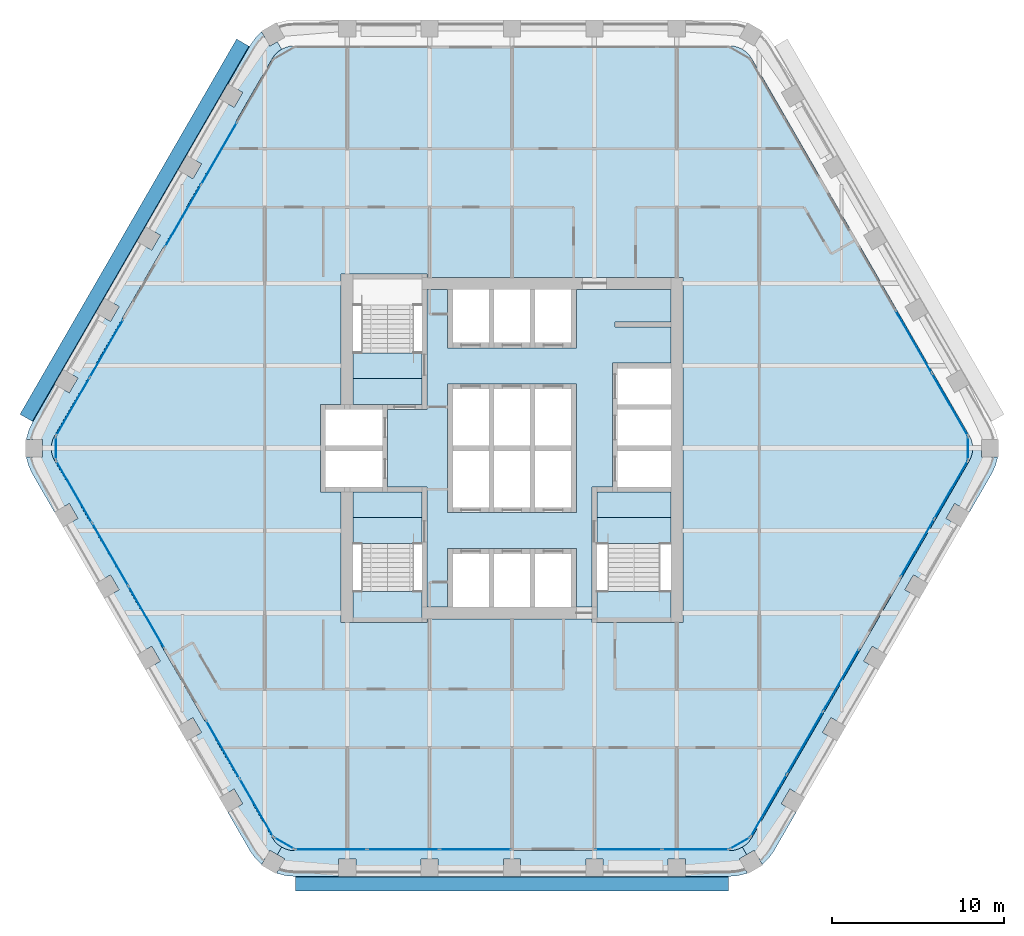
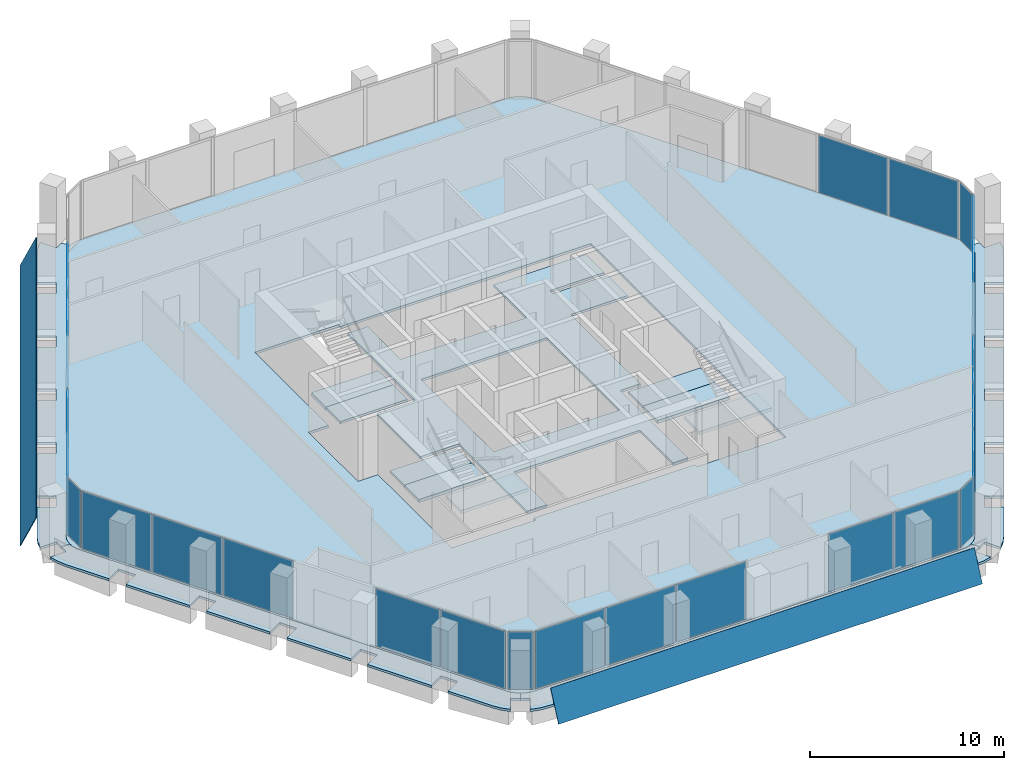
# One storey, part 7 of 15: 27 plates, 14 slabs, 16 elements without a shape of their own.
"""IFC4 building model written with IfcOpenShell, lengths in metres."""

import ifcopenshell
import ifcopenshell.guid

model = None  # the IFC model being written
_history = None  # IfcOwnerHistory: only IFC2X3 demands one
_inside = {}  # id of a spatial element -> (the spatial element, [elements in it])
_under = {}  # id of a project, library or spatial element -> (it, [spatial elements below it])
_declared = {}  # id of a project -> (the project, [libraries it declares])
_typed = {}  # id of a type object -> (the type object, [elements of that type])
_made_of = {}  # id of a material, layer set ... -> (it, [elements and type objects made of it])


def new_model(schema):
    """Start an empty IFC model of exactly this schema.

    Asked for "IFC4X3", IfcOpenShell would pick the latest addendum, in which some entities
    have other attributes; the version numbers below select the first issue.
    IFC2X3 requires an IfcOwnerHistory on every rooted entity: one is made here for all.
    """
    global model, _history
    if schema == "IFC4X3":
        model = ifcopenshell.file(schema_version=(4, 3, 0, 0))
    else:
        model = ifcopenshell.file(schema=schema)
    _inside.clear()
    _under.clear()
    _declared.clear()
    _typed.clear()
    _made_of.clear()
    _history = None
    if model.schema == "IFC2X3":
        org = make("IfcOrganization", Name="unknown")
        user = make(
            "IfcPersonAndOrganization",
            ThePerson=make("IfcPerson", FamilyName="unknown"),
            TheOrganization=org,
        )
        app = make(
            "IfcApplication",
            ApplicationDeveloper=org,
            Version="unknown",
            ApplicationFullName="unknown",
            ApplicationIdentifier="unknown",
        )
        _history = make(
            "IfcOwnerHistory",
            OwningUser=user,
            OwningApplication=app,
            ChangeAction="ADDED",
            CreationDate=0,
        )
    return model


def make(cls, **values):
    """One entity of the class cls with the attributes given. An attribute that is None is left unset."""
    return model.create_entity(
        cls, **{name: value for name, value in values.items() if value is not None}
    )


def rooted(cls, **values):
    """An entity with a GlobalId (a new one), such as an element, a storey or a relation."""
    return make(cls, GlobalId=ifcopenshell.guid.new(), OwnerHistory=_history, **values)


def si_unit(unit_type, name, prefix=None):
    """IfcSIUnit, for example si_unit("LENGTHUNIT", "METRE", prefix="MILLI")."""
    return make("IfcSIUnit", UnitType=unit_type, Prefix=prefix, Name=name)


def assignment(units):
    """IfcUnitAssignment: the units of a project."""
    return None if units is None else make("IfcUnitAssignment", Units=units)


def point(xyz):
    """IfcCartesianPoint."""
    return None if xyz is None else make("IfcCartesianPoint", Coordinates=xyz)


def direction(xyz):
    """IfcDirection."""
    return None if xyz is None else make("IfcDirection", DirectionRatios=xyz)


def frame(location, z_axis=None, x_axis=None):
    """IfcAxis2Placement3D, a coordinate frame: its origin and axes. An axis left out is left unset."""
    return make(
        "IfcAxis2Placement3D",
        Location=point(location),
        Axis=direction(z_axis),
        RefDirection=direction(x_axis),
    )


def frame_2d(location, x_axis=None):
    """IfcAxis2Placement2D, a coordinate frame in the plane: its origin and x axis."""
    return make(
        "IfcAxis2Placement2D", Location=point(location), RefDirection=direction(x_axis)
    )


def origin():
    """The frame at (0, 0, 0) with its axes left unset."""
    return frame((0.0, 0.0, 0.0))


def origin_2d():
    """The frame at (0, 0) in the plane with its x axis left unset."""
    return frame_2d((0.0, 0.0))


def place(relative_to, where):
    """IfcLocalPlacement: puts the frame where relative to a parent placement (None: the world)."""
    return make(
        "IfcLocalPlacement", PlacementRelTo=relative_to, RelativePlacement=where
    )


def context(
    kind, dimensions, precision=None, world=None, true_north=None, identifier=None
):
    """IfcGeometricRepresentationContext, for example the 3D "Model" context."""
    return make(
        "IfcGeometricRepresentationContext",
        ContextIdentifier=identifier,
        ContextType=kind,
        CoordinateSpaceDimension=dimensions,
        Precision=precision,
        WorldCoordinateSystem=world,
        TrueNorth=true_north,
    )


def subcontext(parent, identifier, kind, view, scale=None):
    """IfcGeometricRepresentationSubContext, for example "Body" below "Model"."""
    return make(
        "IfcGeometricRepresentationSubContext",
        ContextIdentifier=identifier,
        ContextType=kind,
        ParentContext=parent,
        TargetScale=scale,
        TargetView=view,
    )


def project(units=None, contexts=None):
    """IfcProject with its units and contexts."""
    return rooted(
        "IfcProject",
        Name="project",
        RepresentationContexts=contexts,
        UnitsInContext=assignment(units),
    )


def spatial(cls, under=None, at=None, **own):
    """A site, building, storey or space (cls), placed at a placement, below another one or the project."""
    s = rooted(cls, ObjectPlacement=at, **own)
    if under is not None:
        _under.setdefault(under.id(), (under, []))[1].append(s)
    return s


def polyline(points):
    """IfcPolyline through the points."""
    return make("IfcPolyline", Points=[point(p) for p in points])


def profile(cls, at=None, kind="AREA", **sizes):
    """A parametric profile (cls). Its sizes go by their IFC names, for example OverallWidth=200.0."""
    return make(cls, ProfileType=kind, Position=at, **sizes)


def rectangle(**sizes):
    """IfcRectangleProfileDef."""
    return profile("IfcRectangleProfileDef", **sizes)


def outline(outer, holes=None, kind="AREA"):
    """IfcArbitraryClosedProfileDef: a profile drawn as a closed curve; with holes, ...WithVoids."""
    if holes is None:
        return make("IfcArbitraryClosedProfileDef", ProfileType=kind, OuterCurve=outer)
    return make(
        "IfcArbitraryProfileDefWithVoids",
        ProfileType=kind,
        OuterCurve=outer,
        InnerCurves=holes,
    )


def extrude(swept, where, along, depth):
    """IfcExtrudedAreaSolid: the profile swept, set in the frame where, extruded along a direction by depth."""
    return make(
        "IfcExtrudedAreaSolid",
        SweptArea=swept,
        Position=where,
        ExtrudedDirection=direction(along),
        Depth=depth,
    )


def shape(context_of_items, identifier, shape_type, items):
    """IfcShapeRepresentation: the items that make up one representation, for example the "Body"."""
    return make(
        "IfcShapeRepresentation",
        ContextOfItems=context_of_items,
        RepresentationIdentifier=identifier,
        RepresentationType=shape_type,
        Items=items,
    )


def material(Name=None, Category=None):
    """IfcMaterial."""
    return make("IfcMaterial", Name=Name, Category=Category)


def layer(
    of_material, thickness, ventilated=None, Name=None, Category=None, Priority=None
):
    """IfcMaterialLayer: one layer of a wall or slab, of a material (None: an air gap)."""
    return make(
        "IfcMaterialLayer",
        Material=of_material,
        LayerThickness=thickness,
        IsVentilated=ventilated,
        Name=Name,
        Category=Category,
        Priority=Priority,
    )


def layer_set(layers, Name=None):
    """IfcMaterialLayerSet."""
    return make("IfcMaterialLayerSet", MaterialLayers=layers, LayerSetName=Name)


def made_of(thing, what):
    """Note that an element or type object is made of a material, layer set ...; save() writes the relation."""
    if what is not None:
        _made_of.setdefault(what.id(), (what, []))[1].append(thing)
    return thing


def type_object(cls, material=None, **own):
    """A type object (cls), such as IfcWallType, which elements share."""
    return made_of(rooted(cls, **own), material)


def element(
    cls,
    number,
    at=None,
    inside=None,
    cuts=None,
    type_object=None,
    material=None,
    context=None,
    identifier="Body",
    shape_type=None,
    held_by="IfcProductDefinitionShape",
    body=None,
    shapes=None,
    **own,
):
    """One element of the class cls, such as IfcWall. Its Tag is "e" and its number.

    at: its placement. inside: the storey or other place that contains it. cuts: it is an
    opening in that element (IfcRelVoidsElement). A single representation is given by context,
    identifier, shape_type and body (its items); several are given by shapes. held_by: the class
    of the entity that holds the representations. save() writes the other relations.
    """
    e = rooted(cls, Tag="e%d" % number, ObjectPlacement=at, **own)
    if body is not None:
        shapes = [shape(context, identifier, shape_type, body)]
    if shapes is not None:
        e.Representation = make(held_by, Representations=shapes)
    if inside is not None:
        _inside.setdefault(inside.id(), (inside, []))[1].append(e)
    if cuts is not None:
        rooted(
            "IfcRelVoidsElement", RelatingBuildingElement=cuts, RelatedOpeningElement=e
        )
    if type_object is not None:
        _typed.setdefault(type_object.id(), (type_object, []))[1].append(e)
    return made_of(e, material)


def aggregate(whole, parts):
    """IfcRelAggregates: a whole, such as a stair, and the parts it consists of."""
    return rooted("IfcRelAggregates", RelatingObject=whole, RelatedObjects=parts)


def save(model, path):
    """Write the relations noted so far, then the file.

    IfcRelAggregates (storeys below a building ...), IfcRelContainedInSpatialStructure (elements
    in a storey), IfcRelDefinesByType, IfcRelAssociatesMaterial and IfcRelDeclares: one each for
    every whole, place, type object, material and project.
    """
    for whole, parts in _under.values():
        aggregate(whole, parts)
    for where, things in _inside.values():
        rooted(
            "IfcRelContainedInSpatialStructure",
            RelatedElements=things,
            RelatingStructure=where,
        )
    for kind, things in _typed.values():
        rooted("IfcRelDefinesByType", RelatedObjects=things, RelatingType=kind)
    for what, things in _made_of.values():
        rooted("IfcRelAssociatesMaterial", RelatedObjects=things, RelatingMaterial=what)
    for by, libraries in _declared.values():
        rooted("IfcRelDeclares", RelatingContext=by, RelatedDefinitions=libraries)
    model.write(path)


model = new_model("IFC4")

# Units and contexts
model_context = context("Model", 3, precision=1e-05, world=origin(), true_north=direction((0.0, 1.0)))
body_context = subcontext(model_context, "Body", "Model", "MODEL_VIEW")
ifc_project = project(units=[si_unit("LENGTHUNIT", "METRE"), si_unit("AREAUNIT", "SQUARE_METRE"), si_unit("VOLUMEUNIT", "CUBIC_METRE"), si_unit("PLANEANGLEUNIT", "RADIAN"), si_unit("MASSUNIT", "GRAM", prefix="KILO")], contexts=[model_context])

# Site, building, storey
site_placement = place(None, origin())
site = spatial("IfcSite", under=ifc_project, at=site_placement, CompositionType="ELEMENT")
building_placement = place(site_placement, origin())
building = spatial("IfcBuilding", under=site, at=building_placement, Name="Kolab Exchange Tower", CompositionType="ELEMENT")
storey_placement = place(building_placement, frame((0.0, 0.0, 138.800048828125)))
storey = spatial("IfcBuildingStorey", under=building, at=storey_placement, Name="L27", CompositionType="ELEMENT", Elevation=138.800048828125)

# Slabs
ifc_material_1 = material(Name="Concrete C35/45", Category="concrete")
ifc_layer_1 = layer(ifc_material_1, 0.14990234375)
ifc_layer_set_1 = layer_set([ifc_layer_1], Name="Concrete C35/45")
slab_type_1 = type_object("IfcSlabType", Name="FLOOR SLAB 150", PredefinedType="FLOOR", material=ifc_layer_set_1)
slab_1_placement = place(storey_placement, frame((0.0, 0.0, -0.150146484375)))
element("IfcSlab", 1, at=slab_1_placement, inside=storey, type_object=slab_type_1, Name="slab/L27/floor/0", PredefinedType="FLOOR", context=body_context, shape_type="SweptSolid", body=[
    extrude(outline(polyline([(13.967041015625, -22.691650390625), (26.635009765625, -0.75), (26.745361328125, -0.512939453125), (26.81298828125, -0.260498046875), (26.8359375, 0.0), (26.81298828125, 0.260498046875), (26.745361328125, 0.512939453125), (26.635009765625, 0.75), (13.967041015625, 22.691650390625), (13.81689453125, 22.90576171875), (13.632080078125, 23.090576171875), (13.41796875, 23.240478515625), (13.180908203125, 23.35107421875), (12.928466796875, 23.418701171875), (12.66796875, 23.441650390625), (-12.66796875, 23.441650390625), (-12.928466796875, 23.418701171875), (-13.180908203125, 23.35107421875), (-13.41796875, 23.240478515625), (-13.632080078125, 23.090576171875), (-13.81689453125, 22.90576171875), (-13.967041015625, 22.691650390625), (-26.635009765625, 0.75), (-26.745361328125, 0.512939453125), (-26.81298828125, 0.260498046875), (-26.8359375, 0.0), (-26.81298828125, -0.260498046875), (-26.745361328125, -0.512939453125), (-26.635009765625, -0.75), (-13.967041015625, -22.691650390625), (-13.81689453125, -22.90576171875), (-13.632080078125, -23.090576171875), (-13.41796875, -23.240478515625), (-13.180908203125, -23.35107421875), (-12.928466796875, -23.418701171875), (-12.66796875, -23.441650390625), (12.66796875, -23.441650390625), (12.928466796875, -23.418701171875), (13.180908203125, -23.35107421875), (13.41796875, -23.240478515625), (13.632080078125, -23.090576171875), (13.81689453125, -22.90576171875), (13.967041015625, -22.691650390625)]), holes=[polyline([(-9.25, -10.14990234375), (-9.949951171875, -10.14990234375), (-9.949951171875, -2.550048828125), (-10.85009765625, -2.550048828125), (-11.14990234375, -2.550048828125), (-11.14990234375, 2.550048828125), (-10.85009765625, 2.550048828125), (-9.949951171875, 2.550048828125), (-9.949951171875, 10.14990234375), (-9.25, 10.14990234375), (-5.25, 10.14990234375), (-4.949951171875, 10.14990234375), (-4.949951171875, 9.949951171875), (9.25, 9.949951171875), (9.949951171875, 9.949951171875), (9.949951171875, -10.14990234375), (9.25, -10.14990234375), (4.949951171875, -10.14990234375), (4.64990234375, -10.14990234375), (4.64990234375, -9.949951171875), (-4.949951171875, -9.949951171875), (-4.949951171875, -10.14990234375), (-5.25, -10.14990234375), (-9.25, -10.14990234375)])]), origin(), (0.0, 0.0, 1.0), 0.150146484375),
])
slab_2_placement = place(storey_placement, frame((0.0, 0.0, -0.150146484375)))
element("IfcSlab", 2, at=slab_2_placement, inside=storey, type_object=slab_type_1, Name="slab/L27/floor/1", PredefinedType="FLOOR", context=body_context, shape_type="SweptSolid", body=[
    extrude(outline(polyline([(-4.949951171875, 9.25), (-4.949951171875, 2.25), (-5.25, 2.25), (-7.25, 2.25), (-7.25, -2.25), (-5.25, -2.25), (-4.949951171875, -2.25), (-4.949951171875, -9.25), (-3.75, -9.25), (-3.75, -5.85009765625), (-3.449951171875, -5.85009765625), (-1.35009765625, -5.85009765625), (-1.050048828125, -5.85009765625), (1.050048828125, -5.85009765625), (1.35009765625, -5.85009765625), (3.449951171875, -5.85009765625), (3.75, -5.85009765625), (3.75, -9.25), (4.64990234375, -9.25), (4.64990234375, -2.25), (4.949951171875, -2.25), (5.85009765625, -2.25), (5.85009765625, 4.949951171875), (6.14990234375, 4.949951171875), (9.25, 4.949951171875), (9.25, 7.050048828125), (6.0, 7.050048828125), (6.0, 7.35009765625), (9.25, 7.35009765625), (9.25, 9.25), (3.75, 9.25), (3.75, 5.85009765625), (3.449951171875, 5.85009765625), (1.35009765625, 5.85009765625), (1.050048828125, 5.85009765625), (-1.050048828125, 5.85009765625), (-1.35009765625, 5.85009765625), (-3.449951171875, 5.85009765625), (-3.75, 5.85009765625), (-3.75, 9.25), (-4.949951171875, 9.25)]), holes=[polyline([(-3.449951171875, -3.75), (-3.75, -3.75), (-3.75, 3.75), (-3.449951171875, 3.75), (-1.35009765625, 3.75), (-1.050048828125, 3.75), (1.050048828125, 3.75), (1.35009765625, 3.75), (3.449951171875, 3.75), (3.75, 3.75), (3.75, -3.75), (3.449951171875, -3.75), (1.35009765625, -3.75), (1.050048828125, -3.75), (-1.050048828125, -3.75), (-1.35009765625, -3.75), (-3.449951171875, -3.75)])]), origin(), (0.0, 0.0, 1.0), 0.150146484375),
])
slab_3_placement = place(storey_placement, frame((0.0, 0.0, -0.150146484375)))
element("IfcSlab", 3, at=slab_3_placement, inside=storey, type_object=slab_type_1, Name="slab/L27/floor/2", PredefinedType="FLOOR", context=body_context, shape_type="SweptSolid", body=[
    extrude(outline(polyline([(4.949951171875, -4.050048828125), (9.25, -4.050048828125), (9.25, -2.550048828125), (6.14990234375, -2.550048828125), (5.85009765625, -2.550048828125), (4.949951171875, -2.550048828125), (4.949951171875, -4.050048828125)])), origin(), (0.0, 0.0, 1.0), 0.150146484375),
])
slab_4_placement = place(storey_placement, frame((0.0, 0.0, -0.150146484375)))
element("IfcSlab", 4, at=slab_4_placement, inside=storey, type_object=slab_type_1, Name="slab/L27/floor/3", PredefinedType="FLOOR", context=body_context, shape_type="SweptSolid", body=[
    extrude(outline(polyline([(-7.550048828125, -2.550048828125), (-9.25, -2.550048828125), (-9.25, -4.050048828125), (-5.25, -4.050048828125), (-5.25, -2.550048828125), (-7.25, -2.550048828125), (-7.550048828125, -2.550048828125)])), origin(), (0.0, 0.0, 1.0), 0.150146484375),
])
slab_5_placement = place(storey_placement, frame((0.0, 0.0, -0.150146484375)))
element("IfcSlab", 5, at=slab_5_placement, inside=storey, type_object=slab_type_1, Name="slab/L27/floor/4", PredefinedType="FLOOR", context=body_context, shape_type="SweptSolid", body=[
    extrude(outline(polyline([(-9.25, 2.550048828125), (-7.550048828125, 2.550048828125), (-7.25, 2.550048828125), (-5.25, 2.550048828125), (-5.25, 4.050048828125), (-9.25, 4.050048828125), (-9.25, 2.550048828125)])), origin(), (0.0, 0.0, 1.0), 0.150146484375),
])
ifc_layer_2 = layer(ifc_material_1, 0.14990234375)
ifc_layer_set_2 = layer_set([ifc_layer_2], Name="Concrete C35/45")
slab_type_2 = type_object("IfcSlabType", Name="LOGGIA SLAB 150", PredefinedType="FLOOR", material=ifc_layer_set_2)
slab_6_placement = place(storey_placement, frame((0.0, 0.0, -0.150146484375)))
element("IfcSlab", 6, at=slab_6_placement, inside=storey, type_object=slab_type_2, Name="slab/L27/loggia/2-0", PredefinedType="FLOOR", context=body_context, shape_type="SweptSolid", body=[
    extrude(outline(polyline([(15.26611328125, -23.441650390625), (16.550048828125, -21.217529296875), (15.68408203125, -20.717529296875), (16.18408203125, -19.8515625), (17.050048828125, -20.3515625), (18.949951171875, -17.060791015625), (18.083984375, -16.560791015625), (18.583984375, -15.694580078125), (19.449951171875, -16.194580078125), (21.35009765625, -12.90380859375), (20.48388671875, -12.40380859375), (20.98388671875, -11.537841796875), (21.85009765625, -12.037841796875), (23.75, -8.746826171875), (22.884033203125, -8.246826171875), (23.384033203125, -7.380859375), (24.25, -7.880859375), (26.14990234375, -4.58984375), (25.283935546875, -4.08984375), (25.783935546875, -3.223876953125), (26.64990234375, -3.723876953125), (27.93408203125, -1.5), (28.155029296875, -1.026123046875), (28.290283203125, -0.52099609375), (28.292236328125, -0.5), (27.3359375, -0.5), (27.3359375, 0.0), (26.8359375, 0.0), (26.81298828125, -0.260498046875), (26.745361328125, -0.512939453125), (26.635009765625, -0.75), (13.967041015625, -22.691650390625), (13.81689453125, -22.90576171875), (13.632080078125, -23.090576171875), (13.41796875, -23.240478515625), (13.66796875, -23.673583984375), (14.10107421875, -23.423583984375), (14.5791015625, -24.251708984375), (14.59619140625, -24.23974609375), (14.966064453125, -23.869873046875), (15.26611328125, -23.441650390625)])), origin(), (0.0, 0.0, 1.0), 0.150146484375),
])
slab_7_placement = place(storey_placement, frame((0.0, 0.0, -0.150146484375)))
element("IfcSlab", 7, at=slab_7_placement, inside=storey, type_object=slab_type_2, Name="slab/L27/loggia/3-0", PredefinedType="FLOOR", context=body_context, shape_type="SweptSolid", body=[
    extrude(outline(polyline([(-13.41796875, -23.240478515625), (-13.66796875, -23.673583984375), (-13.23486328125, -23.923583984375), (-13.713134765625, -24.751708984375), (-13.694091796875, -24.760498046875), (-13.18896484375, -24.89599609375), (-12.66796875, -24.941650390625), (-10.10009765625, -24.941650390625), (-10.10009765625, -23.941650390625), (-9.10009765625, -23.941650390625), (-9.10009765625, -24.941650390625), (-5.300048828125, -24.941650390625), (-5.300048828125, -23.941650390625), (-4.300048828125, -23.941650390625), (-4.300048828125, -24.941650390625), (-0.5, -24.941650390625), (-0.5, -23.941650390625), (0.5, -23.941650390625), (0.5, -24.941650390625), (4.300048828125, -24.941650390625), (4.300048828125, -23.941650390625), (5.300048828125, -23.941650390625), (5.300048828125, -24.941650390625), (9.10009765625, -24.941650390625), (9.10009765625, -23.941650390625), (10.10009765625, -23.941650390625), (10.10009765625, -24.941650390625), (12.66796875, -24.941650390625), (13.18896484375, -24.89599609375), (13.694091796875, -24.760498046875), (13.713134765625, -24.751708984375), (13.23486328125, -23.923583984375), (13.66796875, -23.673583984375), (13.41796875, -23.240478515625), (13.180908203125, -23.35107421875), (12.928466796875, -23.418701171875), (12.66796875, -23.441650390625), (-12.66796875, -23.441650390625), (-12.928466796875, -23.418701171875), (-13.180908203125, -23.35107421875), (-13.41796875, -23.240478515625)])), origin(), (0.0, 0.0, 1.0), 0.150146484375),
])
slab_8_placement = place(storey_placement, frame((0.0, 0.0, -0.150146484375)))
element("IfcSlab", 8, at=slab_8_placement, inside=storey, type_object=slab_type_2, Name="slab/L27/loggia/4-0", PredefinedType="FLOOR", context=body_context, shape_type="SweptSolid", body=[
    extrude(outline(polyline([(-26.8359375, 0.0), (-27.3359375, 0.0), (-27.3359375, -0.5), (-28.292236328125, -0.5), (-28.290283203125, -0.52099609375), (-28.155029296875, -1.026123046875), (-27.93408203125, -1.5), (-26.64990234375, -3.723876953125), (-25.783935546875, -3.223876953125), (-25.283935546875, -4.08984375), (-26.14990234375, -4.58984375), (-24.25, -7.880859375), (-23.384033203125, -7.380859375), (-22.884033203125, -8.246826171875), (-23.75, -8.746826171875), (-21.85009765625, -12.037841796875), (-20.98388671875, -11.537841796875), (-20.48388671875, -12.40380859375), (-21.35009765625, -12.90380859375), (-19.449951171875, -16.194580078125), (-18.583984375, -15.694580078125), (-18.083984375, -16.560791015625), (-18.949951171875, -17.060791015625), (-17.050048828125, -20.3515625), (-16.18408203125, -19.8515625), (-15.68408203125, -20.717529296875), (-16.550048828125, -21.217529296875), (-15.26611328125, -23.441650390625), (-14.966064453125, -23.869873046875), (-14.59619140625, -24.23974609375), (-14.5791015625, -24.251708984375), (-14.10107421875, -23.423583984375), (-13.66796875, -23.673583984375), (-13.41796875, -23.240478515625), (-13.632080078125, -23.090576171875), (-13.81689453125, -22.90576171875), (-13.967041015625, -22.691650390625), (-26.635009765625, -0.75), (-26.745361328125, -0.512939453125), (-26.81298828125, -0.260498046875), (-26.8359375, 0.0)])), origin(), (0.0, 0.0, 1.0), 0.150146484375),
])
slab_9_placement = place(storey_placement, frame((0.0, 0.0, -0.150146484375)))
element("IfcSlab", 9, at=slab_9_placement, inside=storey, type_object=slab_type_2, Name="slab/L27/loggia/5-0", PredefinedType="FLOOR", context=body_context, shape_type="SweptSolid", body=[
    extrude(outline(polyline([(-13.41796875, 23.240478515625), (-13.66796875, 23.673583984375), (-14.10107421875, 23.423583984375), (-14.5791015625, 24.251708984375), (-14.59619140625, 24.23974609375), (-14.966064453125, 23.869873046875), (-15.26611328125, 23.441650390625), (-16.550048828125, 21.217529296875), (-15.68408203125, 20.717529296875), (-16.18408203125, 19.8515625), (-17.050048828125, 20.3515625), (-18.949951171875, 17.060791015625), (-18.083984375, 16.560791015625), (-18.583984375, 15.694580078125), (-19.449951171875, 16.194580078125), (-21.35009765625, 12.90380859375), (-20.48388671875, 12.40380859375), (-20.98388671875, 11.537841796875), (-21.85009765625, 12.037841796875), (-23.75, 8.746826171875), (-22.884033203125, 8.246826171875), (-23.384033203125, 7.380859375), (-24.25, 7.880859375), (-26.14990234375, 4.58984375), (-25.283935546875, 4.08984375), (-25.783935546875, 3.223876953125), (-26.64990234375, 3.723876953125), (-27.93408203125, 1.5), (-28.155029296875, 1.026123046875), (-28.290283203125, 0.52099609375), (-28.292236328125, 0.5), (-27.3359375, 0.5), (-27.3359375, 0.0), (-26.8359375, 0.0), (-26.81298828125, 0.260498046875), (-26.745361328125, 0.512939453125), (-26.635009765625, 0.75), (-13.967041015625, 22.691650390625), (-13.81689453125, 22.90576171875), (-13.632080078125, 23.090576171875), (-13.41796875, 23.240478515625)])), origin(), (0.0, 0.0, 1.0), 0.150146484375),
])

# Plates
ifc_material_2 = material(Name="Laminated glass, clear", Category="glass")
ifc_layer_3 = layer(ifc_material_2, 0.0400390625)
ifc_layer_set_3 = layer_set([ifc_layer_3], Name="Laminated glass, clear")
plate_type_1 = type_object("IfcPlateType", Name="OUTER SKIN LAMINATED GLASS SHEET 40", PredefinedType="SHEET", material=ifc_layer_set_3)
plate_1_placement = place(storey_placement, frame((12.617919921875, -25.806640625, -0.68310546875), z_axis=(0.0, -0.90629442354, 0.42264691867), x_axis=(-1.0, 0.0, 0.0)))
element("IfcPlate", 10, at=plate_1_placement, inside=storey, type_object=plate_type_1, Name="Outer skin", PredefinedType="SHEET", context=body_context, shape_type="SweptSolid", body=[
    extrude(outline(polyline([(0.0, 0.0), (25.23583984375, 0.0), (25.23583984375, -1.9611107647099728), (0.0, -1.9611107647099728), (0.0, 0.0)])), origin(), (0.0, 0.0, -1.0), 0.0400390625),
])
plate_2_placement = place(storey_placement, frame((-28.658203125, 1.975830078125, -0.68310546875), z_axis=(-0.784879402523, 0.453150748855, 0.422633082363), x_axis=(0.49999996891, 0.866025421734, -9.26397e-07)))
element("IfcPlate", 11, at=plate_2_placement, inside=storey, type_object=plate_type_1, Name="Outer skin", PredefinedType="SHEET", context=body_context, shape_type="SweptSolid", body=[
    extrude(outline(polyline([(0.0, 0.0), (25.235928246078725, 0.0), (25.235801780826137, -1.9611225980101963), (8.496673513867198e-05, -1.9610710072384852), (0.0, 0.0)])), origin(), (0.0, 0.0, -1.0), 0.0400390625),
])

# Stair, slab
ifc_material_3 = material(Name="Concrete C50/60", Category="concrete")
stair_type_1 = type_object("IfcStairType", Name="STAIR ST1 RISER 177.3", PredefinedType="HALF_TURN_STAIR", material=ifc_material_3)
stair_1_placement = place(storey_placement, origin())
stair_1 = element("IfcStair", 12, at=stair_1_placement, inside=storey, type_object=stair_type_1, Name="Stair 1", PredefinedType="HALF_TURN_STAIR")
ifc_layer_4 = layer(ifc_material_3, 0.199951171875)
ifc_layer_set_4 = layer_set([ifc_layer_4], Name="Concrete C50/60")
slab_type_3 = type_object("IfcSlabType", Name="STAIR LANDING 200", PredefinedType="LANDING", material=ifc_layer_set_4)
slab_10_placement = place(storey_placement, frame((0.0, 0.0, -0.199951171875)))
slab_10 = element("IfcSlab", 13, at=slab_10_placement, type_object=slab_type_3, Name="ST1 landing 1", PredefinedType="LANDING", context=body_context, shape_type="SweptSolid", body=[
    extrude(outline(polyline([(-9.25, 4.050048828125), (-5.25, 4.050048828125), (-5.25, 5.550048828125), (-9.25, 5.550048828125), (-9.25, 4.050048828125)])), origin(), (0.0, 0.0, 1.0), 0.199951171875),
])
aggregate(stair_1, [slab_10])

# Stair, slabs
stair_type_2 = type_object("IfcStairType", Name="STAIR ST3 RISER 177.3", PredefinedType="HALF_TURN_STAIR", material=ifc_material_3)
stair_2_placement = place(storey_placement, origin())
stair_2 = element("IfcStair", 14, at=stair_2_placement, inside=storey, type_object=stair_type_2, Name="Stair 3", PredefinedType="HALF_TURN_STAIR")
slab_11_placement = place(storey_placement, frame((0.0, 0.0, -0.199951171875)))
slab_11 = element("IfcSlab", 15, at=slab_11_placement, type_object=slab_type_3, Name="ST3 landing 1", PredefinedType="LANDING", context=body_context, shape_type="SweptSolid", body=[
    extrude(outline(polyline([(-9.25, -5.550048828125), (-5.25, -5.550048828125), (-5.25, -4.050048828125), (-9.25, -4.050048828125), (-9.25, -5.550048828125)])), origin(), (0.0, 0.0, 1.0), 0.199951171875),
])
slab_12_placement = place(storey_placement, frame((0.0, 0.0, 1.75)))
slab_12 = element("IfcSlab", 16, at=slab_12_placement, type_object=slab_type_3, Name="ST3 landing 2", PredefinedType="LANDING", context=body_context, shape_type="SweptSolid", body=[
    extrude(outline(polyline([(-9.25, -9.909912109375), (-5.25, -9.909912109375), (-5.25, -8.35009765625), (-9.25, -8.35009765625), (-9.25, -9.909912109375)])), origin(), (0.0, 0.0, 1.0), 0.199951171875),
])
aggregate(stair_2, [slab_11, slab_12])

stair_type_3 = type_object("IfcStairType", Name="STAIR ST2 RISER 177.3", PredefinedType="HALF_TURN_STAIR", material=ifc_material_3)
stair_3_placement = place(storey_placement, origin())
stair_3 = element("IfcStair", 17, at=stair_3_placement, inside=storey, type_object=stair_type_3, Name="Stair 2", PredefinedType="HALF_TURN_STAIR")
slab_13_placement = place(storey_placement, frame((0.0, 0.0, -0.199951171875)))
slab_13 = element("IfcSlab", 18, at=slab_13_placement, type_object=slab_type_3, Name="ST2 landing 1", PredefinedType="LANDING", context=body_context, shape_type="SweptSolid", body=[
    extrude(outline(polyline([(4.949951171875, -5.550048828125), (9.25, -5.550048828125), (9.25, -4.050048828125), (4.949951171875, -4.050048828125), (4.949951171875, -5.550048828125)])), origin(), (0.0, 0.0, 1.0), 0.199951171875),
])
slab_14_placement = place(storey_placement, frame((0.0, 0.0, 1.75)))
slab_14 = element("IfcSlab", 19, at=slab_14_placement, type_object=slab_type_3, Name="ST2 landing 2", PredefinedType="LANDING", context=body_context, shape_type="SweptSolid", body=[
    extrude(outline(polyline([(4.949951171875, -9.909912109375), (9.25, -9.909912109375), (9.25, -8.35009765625), (4.949951171875, -8.35009765625), (4.949951171875, -9.909912109375)])), origin(), (0.0, 0.0, 1.0), 0.199951171875),
])
aggregate(stair_3, [slab_13, slab_14])

# Curtain wall, plates
ifc_material_4 = material(Name="Aluminium EN AW-6063 T6", Category="aluminium")
curtain_wall_type = type_object("IfcCurtainWallType", Name="UNITISED UPPER MID ZONE CURTAIN WALL", PredefinedType="NOTDEFINED", material=ifc_material_4)
curtain_wall_1_placement = place(storey_placement, origin())
curtain_wall_1 = element("IfcCurtainWall", 20, at=curtain_wall_1_placement, inside=storey, type_object=curtain_wall_type, Name="cw/L27/F2-2", PredefinedType="NOTDEFINED")
ifc_material_5 = material(Name="Clear insulated glazing unit", Category="glass")
ifc_layer_5 = layer(ifc_material_5, 0.028076171875)
ifc_layer_set_5 = layer_set([ifc_layer_5], Name="Clear insulated glazing unit")
plate_type_2 = type_object("IfcPlateType", Name="UNITISED UPPER MID ZONE GLASS PANEL 28", PredefinedType="CURTAIN_PANEL", material=ifc_layer_set_5)
plate_3_placement = place(storey_placement, frame((23.398681640625, 6.1953125, 0.06005859375), z_axis=(0.0, 0.0, 1.0), x_axis=(0.499999958358, -0.866025427826, 0.0)))
plate_3 = element("IfcPlate", 21, at=plate_3_placement, type_object=plate_type_2, Name="CW3 panel 2.1", PredefinedType="CURTAIN_PANEL", context=body_context, shape_type="SweptSolid", body=[
    extrude(rectangle(XDim=4.16259765625, YDim=0.028076171875, at=origin_2d()), origin(), (0.0, 0.0, 1.0), 3.6298828125),
])
plate_4_placement = place(storey_placement, frame((25.50244140625, 2.551513671875, 0.06005859375), z_axis=(0.0, 0.0, 1.0), x_axis=(0.499999958358, -0.866025427826, 0.0)))
plate_4 = element("IfcPlate", 22, at=plate_4_placement, type_object=plate_type_2, Name="CW3 panel 3.1", PredefinedType="CURTAIN_PANEL", context=body_context, shape_type="SweptSolid", body=[
    extrude(rectangle(XDim=4.132568359375, YDim=0.028076171875, at=origin_2d()), origin(), (0.0, 0.0, 1.0), 3.6298828125),
])
aggregate(curtain_wall_1, [plate_3, plate_4])

curtain_wall_2_placement = place(storey_placement, origin())
curtain_wall_2 = element("IfcCurtainWall", 23, at=curtain_wall_2_placement, inside=storey, type_object=curtain_wall_type, Name="cw/L27/F3-1", PredefinedType="NOTDEFINED")
plate_5_placement = place(storey_placement, frame((25.57470703125, -2.426513671875, 0.06005859375), z_axis=(0.0, 0.0, 1.0), x_axis=(-0.499999936366, -0.866025440524, 0.0)))
plate_5 = element("IfcPlate", 24, at=plate_5_placement, type_object=plate_type_2, Name="CW3 panel 1.1", PredefinedType="CURTAIN_PANEL", context=body_context, shape_type="SweptSolid", body=[
    extrude(rectangle(XDim=3.843994140625, YDim=0.028076171875, at=origin_2d()), origin(), (0.0, 0.0, 1.0), 3.6298828125),
])
plate_6_placement = place(storey_placement, frame((23.62255859375, -5.807373046875, 0.06005859375), z_axis=(0.0, 0.0, 1.0), x_axis=(-0.499999936366, -0.866025440524, 0.0)))
plate_6 = element("IfcPlate", 25, at=plate_6_placement, type_object=plate_type_2, Name="CW3 panel 2.1", PredefinedType="CURTAIN_PANEL", context=body_context, shape_type="SweptSolid", body=[
    extrude(rectangle(XDim=3.843994140625, YDim=0.028076171875, at=origin_2d()), origin(), (0.0, 0.0, 1.0), 3.6298828125),
])
aggregate(curtain_wall_2, [plate_5, plate_6])

curtain_wall_3_placement = place(storey_placement, origin())
curtain_wall_3 = element("IfcCurtainWall", 26, at=curtain_wall_3_placement, inside=storey, type_object=curtain_wall_type, Name="cw/L27/F3-2", PredefinedType="NOTDEFINED")
plate_7_placement = place(storey_placement, frame((19.16845703125, -13.522216796875, 0.06005859375), z_axis=(0.0, 0.0, 1.0), x_axis=(-0.500000017564, -0.866025393644, 0.0)))
plate_7 = element("IfcPlate", 27, at=plate_7_placement, type_object=plate_type_2, Name="CW3 panel 1.1", PredefinedType="CURTAIN_PANEL", context=body_context, shape_type="SweptSolid", body=[
    extrude(rectangle(XDim=4.132568359375, YDim=0.028076171875, at=origin_2d()), origin(), (0.0, 0.0, 1.0), 3.6298828125),
])
plate_8_placement = place(storey_placement, frame((17.064697265625, -17.166259765625, 0.06005859375), z_axis=(0.0, 0.0, 1.0), x_axis=(-0.500000017564, -0.866025393644, 0.0)))
plate_8 = element("IfcPlate", 28, at=plate_8_placement, type_object=plate_type_2, Name="CW3 panel 2.1", PredefinedType="CURTAIN_PANEL", context=body_context, shape_type="SweptSolid", body=[
    extrude(rectangle(XDim=4.16259765625, YDim=0.028076171875, at=origin_2d()), origin(), (0.0, 0.0, 1.0), 3.6298828125),
])
plate_9_placement = place(storey_placement, frame((14.9609375, -20.81005859375, 0.06005859375), z_axis=(0.0, 0.0, 1.0), x_axis=(-0.500000017564, -0.866025393644, 0.0)))
plate_9 = element("IfcPlate", 29, at=plate_9_placement, type_object=plate_type_2, Name="CW3 panel 3.1", PredefinedType="CURTAIN_PANEL", context=body_context, shape_type="SweptSolid", body=[
    extrude(rectangle(XDim=4.132568359375, YDim=0.028076171875, at=origin_2d()), origin(), (0.0, 0.0, 1.0), 3.6298828125),
])
aggregate(curtain_wall_3, [plate_7, plate_8, plate_9])

curtain_wall_4_placement = place(storey_placement, origin())
curtain_wall_4 = element("IfcCurtainWall", 30, at=curtain_wall_4_placement, inside=storey, type_object=curtain_wall_type, Name="cw/L27/F4-1", PredefinedType="NOTDEFINED")
plate_10_placement = place(storey_placement, frame((10.68603515625, -23.361572265625, 0.06005859375), z_axis=(0.0, 0.0, 1.0), x_axis=(-1.0, 0.0, 0.0)))
plate_10 = element("IfcPlate", 31, at=plate_10_placement, type_object=plate_type_2, Name="CW3 panel 1.1", PredefinedType="CURTAIN_PANEL", context=body_context, shape_type="SweptSolid", body=[
    extrude(rectangle(XDim=3.843994140625, YDim=0.028076171875, at=origin_2d()), origin(), (0.0, 0.0, 1.0), 3.6298828125),
])
plate_11_placement = place(storey_placement, frame((6.781982421875, -23.361572265625, 0.06005859375), z_axis=(0.0, 0.0, 1.0), x_axis=(-1.0, 0.0, 0.0)))
plate_11 = element("IfcPlate", 32, at=plate_11_placement, type_object=plate_type_2, Name="CW3 panel 2.1", PredefinedType="CURTAIN_PANEL", context=body_context, shape_type="SweptSolid", body=[
    extrude(rectangle(XDim=3.843994140625, YDim=0.028076171875, at=origin_2d()), origin(), (0.0, 0.0, 1.0), 3.6298828125),
])
aggregate(curtain_wall_4, [plate_10, plate_11])

curtain_wall_5_placement = place(storey_placement, origin())
curtain_wall_5 = element("IfcCurtainWall", 33, at=curtain_wall_5_placement, inside=storey, type_object=curtain_wall_type, Name="cw/L27/F4-2", PredefinedType="NOTDEFINED")
plate_12_placement = place(storey_placement, frame((-2.126220703125, -23.361572265625, 0.06005859375), z_axis=(0.0, 0.0, 1.0), x_axis=(-1.0, 0.0, 0.0)))
plate_12 = element("IfcPlate", 34, at=plate_12_placement, type_object=plate_type_2, Name="CW3 panel 1.1", PredefinedType="CURTAIN_PANEL", context=body_context, shape_type="SweptSolid", body=[
    extrude(rectangle(XDim=4.132568359375, YDim=0.028076171875, at=origin_2d()), origin(), (0.0, 0.0, 1.0), 3.6298828125),
])
plate_13_placement = place(storey_placement, frame((-6.333984375, -23.361572265625, 0.06005859375), z_axis=(0.0, 0.0, 1.0), x_axis=(-1.0, 0.0, 0.0)))
plate_13 = element("IfcPlate", 35, at=plate_13_placement, type_object=plate_type_2, Name="CW3 panel 2.1", PredefinedType="CURTAIN_PANEL", context=body_context, shape_type="SweptSolid", body=[
    extrude(rectangle(XDim=4.16259765625, YDim=0.028076171875, at=origin_2d()), origin(), (0.0, 0.0, 1.0), 3.6298828125),
])
plate_14_placement = place(storey_placement, frame((-10.54150390625, -23.361572265625, 0.06005859375), z_axis=(0.0, 0.0, 1.0), x_axis=(-1.0, 0.0, 0.0)))
plate_14 = element("IfcPlate", 36, at=plate_14_placement, type_object=plate_type_2, Name="CW3 panel 3.1", PredefinedType="CURTAIN_PANEL", context=body_context, shape_type="SweptSolid", body=[
    extrude(rectangle(XDim=4.132568359375, YDim=0.028076171875, at=origin_2d()), origin(), (0.0, 0.0, 1.0), 3.6298828125),
])
aggregate(curtain_wall_5, [plate_12, plate_13, plate_14])

curtain_wall_6_placement = place(storey_placement, origin())
curtain_wall_6 = element("IfcCurtainWall", 37, at=curtain_wall_6_placement, inside=storey, type_object=curtain_wall_type, Name="cw/L27/F5-1", PredefinedType="NOTDEFINED")
plate_15_placement = place(storey_placement, frame((-14.888671875, -20.93505859375, 0.06005859375), z_axis=(0.0, 0.0, 1.0), x_axis=(-0.500000031681, 0.866025385493, 0.0)))
plate_15 = element("IfcPlate", 38, at=plate_15_placement, type_object=plate_type_2, Name="CW3 panel 1.1", PredefinedType="CURTAIN_PANEL", context=body_context, shape_type="SweptSolid", body=[
    extrude(rectangle(XDim=3.843994140625, YDim=0.028076171875, at=origin_2d()), origin(), (0.0, 0.0, 1.0), 3.6298828125),
])
plate_16_placement = place(storey_placement, frame((-16.840576171875, -17.55419921875, 0.06005859375), z_axis=(0.0, 0.0, 1.0), x_axis=(-0.500000031681, 0.866025385493, 0.0)))
plate_16 = element("IfcPlate", 39, at=plate_16_placement, type_object=plate_type_2, Name="CW3 panel 2.1", PredefinedType="CURTAIN_PANEL", context=body_context, shape_type="SweptSolid", body=[
    extrude(rectangle(XDim=3.843994140625, YDim=0.028076171875, at=origin_2d()), origin(), (0.0, 0.0, 1.0), 3.6298828125),
])
aggregate(curtain_wall_6, [plate_15, plate_16])

curtain_wall_7_placement = place(storey_placement, origin())
curtain_wall_7 = element("IfcCurtainWall", 40, at=curtain_wall_7_placement, inside=storey, type_object=curtain_wall_type, Name="cw/L27/F5-2", PredefinedType="NOTDEFINED")
plate_17_placement = place(storey_placement, frame((-21.294921875, -9.83935546875, 0.06005859375), z_axis=(0.0, 0.0, 1.0), x_axis=(-0.499999958358, 0.866025427826, 0.0)))
plate_17 = element("IfcPlate", 41, at=plate_17_placement, type_object=plate_type_2, Name="CW3 panel 1.1", PredefinedType="CURTAIN_PANEL", context=body_context, shape_type="SweptSolid", body=[
    extrude(rectangle(XDim=4.132568359375, YDim=0.028076171875, at=origin_2d()), origin(), (0.0, 0.0, 1.0), 3.6298828125),
])
plate_18_placement = place(storey_placement, frame((-23.398681640625, -6.1953125, 0.06005859375), z_axis=(0.0, 0.0, 1.0), x_axis=(-0.499999958358, 0.866025427826, 0.0)))
plate_18 = element("IfcPlate", 42, at=plate_18_placement, type_object=plate_type_2, Name="CW3 panel 2.1", PredefinedType="CURTAIN_PANEL", context=body_context, shape_type="SweptSolid", body=[
    extrude(rectangle(XDim=4.16259765625, YDim=0.028076171875, at=origin_2d()), origin(), (0.0, 0.0, 1.0), 3.6298828125),
])
plate_19_placement = place(storey_placement, frame((-25.50244140625, -2.551513671875, 0.06005859375), z_axis=(0.0, 0.0, 1.0), x_axis=(-0.499999958358, 0.866025427826, 0.0)))
plate_19 = element("IfcPlate", 43, at=plate_19_placement, type_object=plate_type_2, Name="CW3 panel 3.1", PredefinedType="CURTAIN_PANEL", context=body_context, shape_type="SweptSolid", body=[
    extrude(rectangle(XDim=4.132568359375, YDim=0.028076171875, at=origin_2d()), origin(), (0.0, 0.0, 1.0), 3.6298828125),
])
aggregate(curtain_wall_7, [plate_17, plate_18, plate_19])

curtain_wall_8_placement = place(storey_placement, origin())
curtain_wall_8 = element("IfcCurtainWall", 44, at=curtain_wall_8_placement, inside=storey, type_object=curtain_wall_type, Name="cw/L27/F6-1", PredefinedType="NOTDEFINED")
plate_20_placement = place(storey_placement, frame((-25.57470703125, 2.426513671875, 0.06005859375), z_axis=(0.0, 0.0, 1.0), x_axis=(0.499999936366, 0.866025440524, 0.0)))
plate_20 = element("IfcPlate", 45, at=plate_20_placement, type_object=plate_type_2, Name="CW3 panel 1.1", PredefinedType="CURTAIN_PANEL", context=body_context, shape_type="SweptSolid", body=[
    extrude(rectangle(XDim=3.843994140625, YDim=0.028076171875, at=origin_2d()), origin(), (0.0, 0.0, 1.0), 3.6298828125),
])
plate_21_placement = place(storey_placement, frame((-23.62255859375, 5.807373046875, 0.06005859375), z_axis=(0.0, 0.0, 1.0), x_axis=(0.499999936366, 0.866025440524, 0.0)))
plate_21 = element("IfcPlate", 46, at=plate_21_placement, type_object=plate_type_2, Name="CW3 panel 2.1", PredefinedType="CURTAIN_PANEL", context=body_context, shape_type="SweptSolid", body=[
    extrude(rectangle(XDim=3.843994140625, YDim=0.028076171875, at=origin_2d()), origin(), (0.0, 0.0, 1.0), 3.6298828125),
])
aggregate(curtain_wall_8, [plate_20, plate_21])

curtain_wall_9_placement = place(storey_placement, origin())
curtain_wall_9 = element("IfcCurtainWall", 47, at=curtain_wall_9_placement, inside=storey, type_object=curtain_wall_type, Name="cw/L27/F6-2", PredefinedType="NOTDEFINED")
plate_22_placement = place(storey_placement, frame((-19.16845703125, 13.522216796875, 0.06005859375), z_axis=(0.0, 0.0, 1.0), x_axis=(0.500000017564, 0.866025393644, 0.0)))
plate_22 = element("IfcPlate", 48, at=plate_22_placement, type_object=plate_type_2, Name="CW3 panel 1.1", PredefinedType="CURTAIN_PANEL", context=body_context, shape_type="SweptSolid", body=[
    extrude(rectangle(XDim=4.132568359375, YDim=0.028076171875, at=origin_2d()), origin(), (0.0, 0.0, 1.0), 3.6298828125),
])
plate_23_placement = place(storey_placement, frame((-17.064697265625, 17.166259765625, 0.06005859375), z_axis=(0.0, 0.0, 1.0), x_axis=(0.500000017564, 0.866025393644, 0.0)))
plate_23 = element("IfcPlate", 49, at=plate_23_placement, type_object=plate_type_2, Name="CW3 panel 2.1", PredefinedType="CURTAIN_PANEL", context=body_context, shape_type="SweptSolid", body=[
    extrude(rectangle(XDim=4.16259765625, YDim=0.028076171875, at=origin_2d()), origin(), (0.0, 0.0, 1.0), 3.6298828125),
])
aggregate(curtain_wall_9, [plate_22, plate_23])

# Curtain wall, plate
curtain_wall_10_placement = place(storey_placement, origin())
curtain_wall_10 = element("IfcCurtainWall", 50, at=curtain_wall_10_placement, inside=storey, type_object=curtain_wall_type, Name="cw/L27/F2F3-corner", PredefinedType="NOTDEFINED")
plate_24_placement = place(storey_placement, frame((26.565673828125, 0.0, 0.06005859375), z_axis=(0.0, 0.0, 1.0), x_axis=(0.0, -1.0, 0.0)))
plate_24 = element("IfcPlate", 51, at=plate_24_placement, type_object=plate_type_2, Name="CW3 panel 1.1", PredefinedType="CURTAIN_PANEL", context=body_context, shape_type="SweptSolid", body=[
    extrude(rectangle(XDim=1.300048828125, YDim=0.028076171875, at=origin_2d()), origin(), (0.0, 0.0, 1.0), 3.6298828125),
])
aggregate(curtain_wall_10, [plate_24])

curtain_wall_11_placement = place(storey_placement, origin())
curtain_wall_11 = element("IfcCurtainWall", 52, at=curtain_wall_11_placement, inside=storey, type_object=curtain_wall_type, Name="cw/L27/F3F4-corner", PredefinedType="NOTDEFINED")
plate_25_placement = place(storey_placement, frame((13.28271484375, -23.006591796875, 0.06005859375), z_axis=(0.0, 0.0, 1.0), x_axis=(-0.866025390869, -0.50000002237, 0.0)))
plate_25 = element("IfcPlate", 53, at=plate_25_placement, type_object=plate_type_2, Name="CW3 panel 1.1", PredefinedType="CURTAIN_PANEL", context=body_context, shape_type="SweptSolid", body=[
    extrude(rectangle(XDim=1.300048828125, YDim=0.028076171875, at=origin_2d()), origin(), (0.0, 0.0, 1.0), 3.6298828125),
])
aggregate(curtain_wall_11, [plate_25])

curtain_wall_12_placement = place(storey_placement, origin())
curtain_wall_12 = element("IfcCurtainWall", 54, at=curtain_wall_12_placement, inside=storey, type_object=curtain_wall_type, Name="cw/L27/F4F5-corner", PredefinedType="NOTDEFINED")
plate_26_placement = place(storey_placement, frame((-13.28271484375, -23.006591796875, 0.06005859375), z_axis=(0.0, 0.0, 1.0), x_axis=(-0.866025390869, 0.50000002237, 0.0)))
plate_26 = element("IfcPlate", 55, at=plate_26_placement, type_object=plate_type_2, Name="CW3 panel 1.1", PredefinedType="CURTAIN_PANEL", context=body_context, shape_type="SweptSolid", body=[
    extrude(rectangle(XDim=1.300048828125, YDim=0.028076171875, at=origin_2d()), origin(), (0.0, 0.0, 1.0), 3.6298828125),
])
aggregate(curtain_wall_12, [plate_26])

curtain_wall_13_placement = place(storey_placement, origin())
curtain_wall_13 = element("IfcCurtainWall", 56, at=curtain_wall_13_placement, inside=storey, type_object=curtain_wall_type, Name="cw/L27/F5F6-corner", PredefinedType="NOTDEFINED")
plate_27_placement = place(storey_placement, frame((-26.565673828125, 0.0, 0.06005859375), z_axis=(0.0, 0.0, 1.0), x_axis=(0.0, 1.0, 0.0)))
plate_27 = element("IfcPlate", 57, at=plate_27_placement, type_object=plate_type_2, Name="CW3 panel 1.1", PredefinedType="CURTAIN_PANEL", context=body_context, shape_type="SweptSolid", body=[
    extrude(rectangle(XDim=1.300048828125, YDim=0.028076171875, at=origin_2d()), origin(), (0.0, 0.0, 1.0), 3.6298828125),
])
aggregate(curtain_wall_13, [plate_27])

save(model, "model.ifc")
